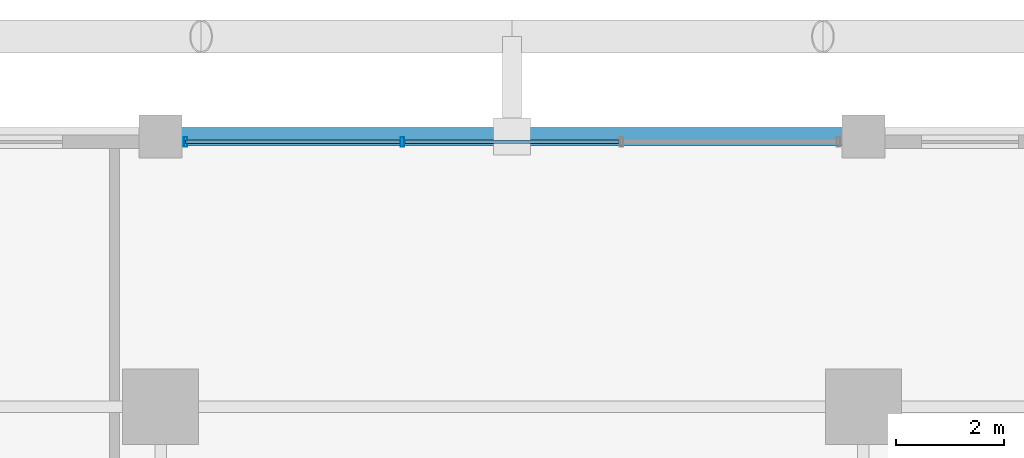
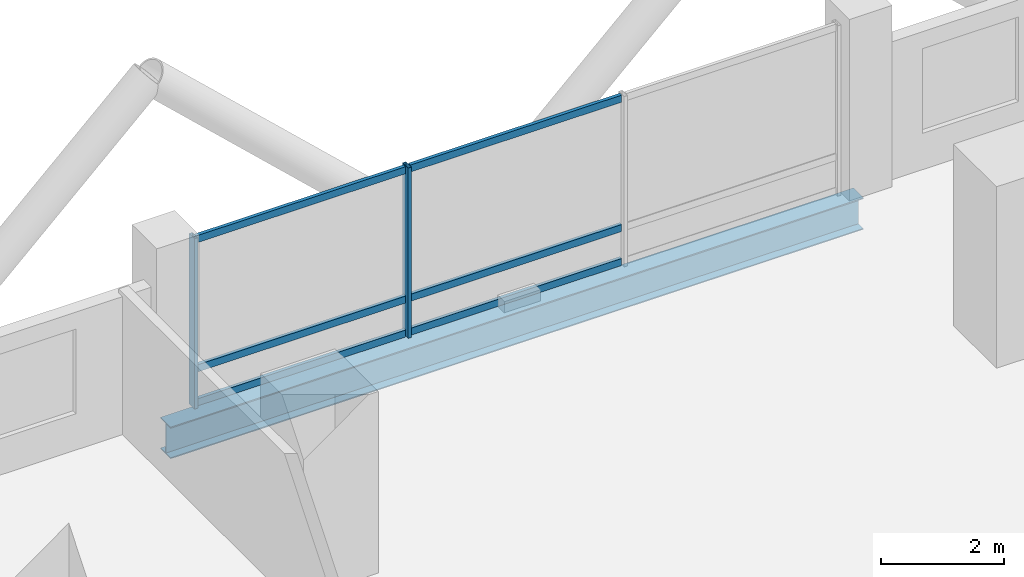
# One storey, part 15 of 27: 8 members, 1 beam, 1 element without a shape of its own.
"""IFC4 building model written with IfcOpenShell, lengths in metres."""

from ifc_helpers import new_model, si_unit, direction, frame, origin, origin_2d, place, context, subcontext, project, spatial, hollow_rectangle, i_section, extrude, material, layer, layer_set, material_profile, profile_set, type_object, element, aggregate, save


model = new_model("IFC4")

# Units and contexts
model_context = context("Model", 3, precision=1e-05, world=origin(), true_north=direction((0.0, 1.0)))
body_context = subcontext(model_context, "Body", "Model", "MODEL_VIEW")
ifc_project = project(units=[si_unit("LENGTHUNIT", "METRE"), si_unit("AREAUNIT", "SQUARE_METRE"), si_unit("VOLUMEUNIT", "CUBIC_METRE"), si_unit("PLANEANGLEUNIT", "RADIAN"), si_unit("MASSUNIT", "GRAM", prefix="KILO")], contexts=[model_context])

# Site, building, storey
site_placement = place(None, origin())
site = spatial("IfcSite", under=ifc_project, at=site_placement, CompositionType="ELEMENT")
building_placement = place(site_placement, origin())
building = spatial("IfcBuilding", under=site, at=building_placement, Name="Barlavira Tower and Art Museum", CompositionType="ELEMENT")
storey_placement = place(building_placement, frame((0.0, 0.0, 72.0)))
storey = spatial("IfcBuildingStorey", under=building, at=storey_placement, Name="L17", CompositionType="ELEMENT", Elevation=72.0)

# Curtain wall, members
ifc_material_1 = material(Name="Low-iron coastal laminated glass", Category="glass")
ifc_layer = layer(ifc_material_1, 0.179931640625, Name="Low-iron coastal laminated glass")
ifc_layer_set = layer_set([ifc_layer], Name="Low-iron coastal laminated glass")
curtain_wall_type = type_object("IfcCurtainWallType", Name="Pale-Metal Unitised Curtain Wall Zone 1", PredefinedType="NOTDEFINED", material=ifc_layer_set)
curtain_wall_placement = place(storey_placement, origin())
curtain_wall = element("IfcCurtainWall", 1, at=curtain_wall_placement, inside=storey, type_object=curtain_wall_type, Name="L17 Curtain Wall CW1-L17-N-B3", PredefinedType="NOTDEFINED")
ifc_material_2 = material(Name="Pale anodised aluminium", Category="aluminium")
ifc_material_profile_1 = material_profile(ifc_material_2, hollow_rectangle(XDim=0.06494140625, YDim=0.179931640625, WallThickness=0.00390625, at=origin_2d()), Name="ALU-MULL 65x180x4")
ifc_profile_set_1 = profile_set([ifc_material_profile_1], Name="Pale anodised aluminium")
member_type_1 = type_object("IfcMemberType", Name="Curtain Wall Pale-Metal Mullion 65x180", PredefinedType="MULLION", material=ifc_profile_set_1)
member_1_placement = place(storey_placement, frame((-2.026611328125, 24.89990234375, 0.0), z_axis=(0.0, 0.0, 1.0), x_axis=(-1.0, 0.0, 0.0)))
member_1 = element("IfcMember", 2, at=member_1_placement, type_object=member_type_1, Name="CW1-L17-N-B3 Mullion 2", PredefinedType="MULLION", context=body_context, shape_type="SweptSolid", body=[
    extrude(hollow_rectangle(XDim=0.06494140625, YDim=0.179931640625, WallThickness=0.00390625, at=origin_2d()), origin(), (0.0, 0.0, 1.0), 3.3798828125),
])
member_2_placement = place(storey_placement, frame((-6.034912109375, 24.89990234375, 0.0), z_axis=(0.0, 0.0, 1.0), x_axis=(-1.0, 0.0, 0.0)))
member_2 = element("IfcMember", 3, at=member_2_placement, type_object=member_type_1, Name="CW1-L17-N-B3 Mullion 3", PredefinedType="MULLION", context=body_context, shape_type="SweptSolid", body=[
    extrude(hollow_rectangle(XDim=0.06494140625, YDim=0.179931640625, WallThickness=0.00390625, at=origin_2d()), origin(), (0.0, 0.0, 1.0), 3.3798828125),
])
ifc_material_profile_2 = material_profile(ifc_material_2, hollow_rectangle(XDim=0.06494140625, YDim=0.139892578125, WallThickness=0.00390625, at=origin_2d()), Name="ALU-TRAN 65x140x4")
ifc_profile_set_2 = profile_set([ifc_material_profile_2], Name="Pale anodised aluminium")
member_type_2 = type_object("IfcMemberType", Name="Curtain Wall Pale-Metal Transom 65x140", PredefinedType="USERDEFINED", material=ifc_profile_set_2)
member_3_placement = place(storey_placement, frame((1.981689453125, 24.89990234375, 0.070068359375), z_axis=(-1.0, 0.0, 0.0), x_axis=(0.0, -1.0, 0.0)))
member_3 = element("IfcMember", 4, at=member_3_placement, type_object=member_type_2, Name="CW1-L17-N-B3 Transom 1.1", ObjectType="TRANSOM", PredefinedType="USERDEFINED", context=body_context, shape_type="SweptSolid", body=[
    extrude(hollow_rectangle(XDim=0.06494140625, YDim=0.139892578125, WallThickness=0.00390625, at=origin_2d()), origin(), (0.0, 0.0, 1.0), 3.96337890625),
])
member_4_placement = place(storey_placement, frame((1.981689453125, 24.89990234375, 0.743896484375), z_axis=(-1.0, 0.0, 0.0), x_axis=(0.0, -1.0, 0.0)))
member_4 = element("IfcMember", 5, at=member_4_placement, type_object=member_type_2, Name="CW1-L17-N-B3 Transom 1.2", ObjectType="TRANSOM", PredefinedType="USERDEFINED", context=body_context, shape_type="SweptSolid", body=[
    extrude(hollow_rectangle(XDim=0.06494140625, YDim=0.139892578125, WallThickness=0.00390625, at=origin_2d()), origin(), (0.0, 0.0, 1.0), 3.96337890625),
])
member_5_placement = place(storey_placement, frame((1.981689453125, 24.89990234375, 3.31005859375), z_axis=(-1.0, 0.0, 0.0), x_axis=(0.0, -1.0, 0.0)))
member_5 = element("IfcMember", 6, at=member_5_placement, type_object=member_type_2, Name="CW1-L17-N-B3 Transom 1.3", ObjectType="TRANSOM", PredefinedType="USERDEFINED", context=body_context, shape_type="SweptSolid", body=[
    extrude(hollow_rectangle(XDim=0.06494140625, YDim=0.139892578125, WallThickness=0.00390625, at=origin_2d()), origin(), (0.0, 0.0, 1.0), 3.96337890625),
])
member_6_placement = place(storey_placement, frame((-2.07177734375, 24.89990234375, 0.070068359375), z_axis=(-1.0, 0.0, 0.0), x_axis=(0.0, -1.0, 0.0)))
member_6 = element("IfcMember", 7, at=member_6_placement, type_object=member_type_2, Name="CW1-L17-N-B3 Transom 2.1", ObjectType="TRANSOM", PredefinedType="USERDEFINED", context=body_context, shape_type="SweptSolid", body=[
    extrude(hollow_rectangle(XDim=0.06494140625, YDim=0.139892578125, WallThickness=0.00390625, at=origin_2d()), origin(), (0.0, 0.0, 1.0), 3.963134765625),
])
member_7_placement = place(storey_placement, frame((-2.07177734375, 24.89990234375, 0.743896484375), z_axis=(-1.0, 0.0, 0.0), x_axis=(0.0, -1.0, 0.0)))
member_7 = element("IfcMember", 8, at=member_7_placement, type_object=member_type_2, Name="CW1-L17-N-B3 Transom 2.2", ObjectType="TRANSOM", PredefinedType="USERDEFINED", context=body_context, shape_type="SweptSolid", body=[
    extrude(hollow_rectangle(XDim=0.06494140625, YDim=0.139892578125, WallThickness=0.00390625, at=origin_2d()), origin(), (0.0, 0.0, 1.0), 3.963134765625),
])
member_8_placement = place(storey_placement, frame((-2.07177734375, 24.89990234375, 3.31005859375), z_axis=(-1.0, 0.0, 0.0), x_axis=(0.0, -1.0, 0.0)))
member_8 = element("IfcMember", 9, at=member_8_placement, type_object=member_type_2, Name="CW1-L17-N-B3 Transom 2.3", ObjectType="TRANSOM", PredefinedType="USERDEFINED", context=body_context, shape_type="SweptSolid", body=[
    extrude(hollow_rectangle(XDim=0.06494140625, YDim=0.139892578125, WallThickness=0.00390625, at=origin_2d()), origin(), (0.0, 0.0, 1.0), 3.963134765625),
])
aggregate(curtain_wall, [member_1, member_2, member_3, member_4, member_5, member_6, member_7, member_8])

# Beam
ifc_material_3 = material(Name="Steel S355", Category="steel")
ifc_material_profile_3 = material_profile(ifc_material_3, i_section(OverallWidth=0.327880859375, OverallDepth=0.62890625, WebThickness=0.013916015625, FlangeThickness=0.021484375, at=origin_2d()), Name="W610x174.0")
ifc_profile_set_3 = profile_set([ifc_material_profile_3], Name="Steel S355")
beam_type = type_object("IfcBeamType", Name="Perimeter Spandrel Edge Beam W610x174 Steel S355", PredefinedType="SPANDREL", material=ifc_profile_set_3)
beam_placement = place(storey_placement, frame((-6.5, 25.0, -0.534423828125), z_axis=(1.0, 0.0, 0.0), x_axis=(0.0, 1.0, 0.0)))
element("IfcBeam", 10, at=beam_placement, inside=storey, type_object=beam_type, Name="L17 Spandrel 10", PredefinedType="SPANDREL", context=body_context, shape_type="SweptSolid", body=[
    extrude(i_section(OverallWidth=0.327880859375, OverallDepth=0.62890625, WebThickness=0.013916015625, FlangeThickness=0.021484375, at=origin_2d()), origin(), (0.0, 0.0, 1.0), 13.0),
])

save(model, "model.ifc")
